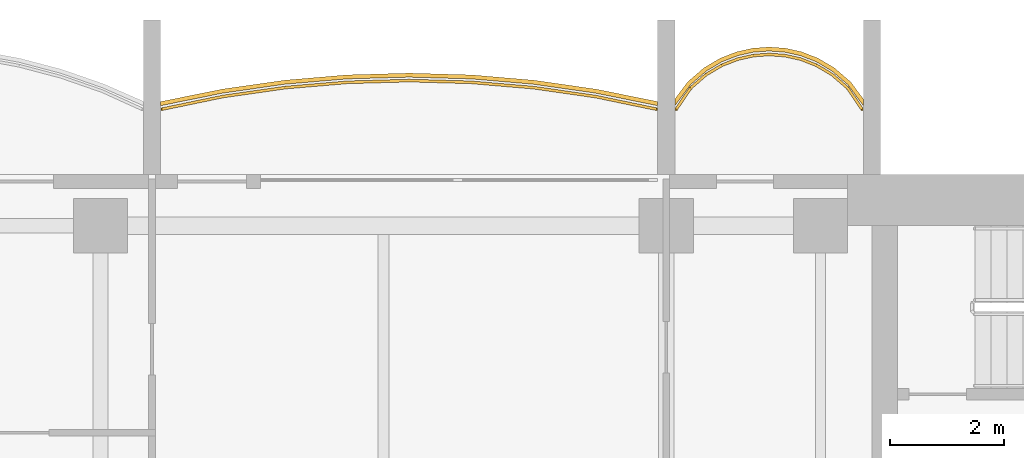
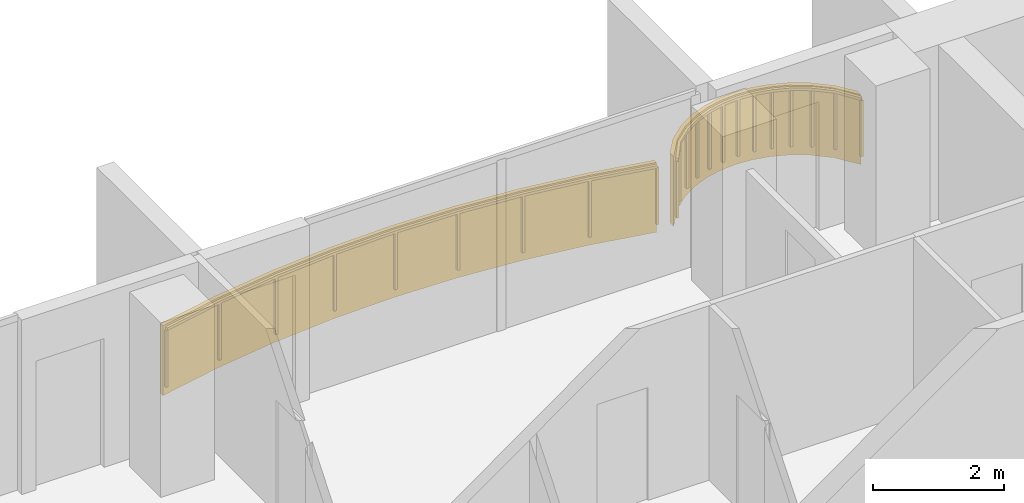
# One storey, part 17 of 17: 2 coverings, 2 railings.
"""IFC4 building model written with IfcOpenShell, lengths in metres."""

from ifc_helpers import new_model, si_unit, direction, frame, origin, origin_2d, place, context, subcontext, project, spatial, polyline, rectangle, outline, extrude, material, layer, layer_set, type_object, element, save


model = new_model("IFC4")

# Units and contexts
model_context = context("Model", 3, precision=1e-05, world=origin(), true_north=direction((0.0, 1.0)))
body_context = subcontext(model_context, "Body", "Model", "MODEL_VIEW")
ifc_project = project(units=[si_unit("LENGTHUNIT", "METRE"), si_unit("AREAUNIT", "SQUARE_METRE"), si_unit("VOLUMEUNIT", "CUBIC_METRE"), si_unit("PLANEANGLEUNIT", "RADIAN"), si_unit("MASSUNIT", "GRAM", prefix="KILO")], contexts=[model_context])

# Site, building, storey
site_placement = place(None, origin())
site = spatial("IfcSite", under=ifc_project, at=site_placement, CompositionType="ELEMENT")
building_placement = place(site_placement, origin())
building = spatial("IfcBuilding", under=site, at=building_placement, Name="Perihelion Cross Residences", CompositionType="ELEMENT")
storey_placement = place(building_placement, frame((0.0, 0.0, 184.10009765625)))
storey = spatial("IfcBuildingStorey", under=building, at=storey_placement, Name="L45", CompositionType="ELEMENT", Elevation=184.10009765625)

# Coverings
ifc_material_1 = material(Name="Bronze anodised aluminium", Category="aluminium")
ifc_layer = layer(ifc_material_1, 0.070068359375)
ifc_layer_set = layer_set([ifc_layer], Name="Balcony fascia 1300")
covering_type = type_object("IfcCoveringType", Name="Balcony fascia 1300", PredefinedType="CLADDING", material=ifc_layer_set)
covering_1_placement = place(storey_placement, frame((0.0, 0.0, -0.2001953125)))
element("IfcCovering", 1, at=covering_1_placement, inside=storey, type_object=covering_type, Name="Fascia BF1 L45 east side north bay 1", PredefinedType="CLADDING", context=body_context, shape_type="SweptSolid", body=[
    extrude(outline(polyline([(21.226318359375, 10.616455078125), (20.94091796875, 10.86328125), (20.655517578125, 11.031494140625), (20.370361328125, 11.142578125), (20.085205078125, 11.206298828125), (19.800048828125, 11.22705078125), (19.514892578125, 11.206298828125), (19.229736328125, 11.142578125), (18.9443359375, 11.031494140625), (18.6591796875, 10.86328125), (18.373779296875, 10.616455078125), (18.14990234375, 10.31689453125), (18.14990234375, 10.199951171875), (18.425048828125, 10.568603515625), (18.699951171875, 10.806396484375), (18.97509765625, 10.96875), (19.25, 11.07568359375), (19.52490234375, 11.136962890625), (19.800048828125, 11.156982421875), (20.074951171875, 11.136962890625), (20.35009765625, 11.07568359375), (20.625, 10.96875), (20.89990234375, 10.806396484375), (21.175048828125, 10.568603515625), (21.449951171875, 10.199951171875), (21.449951171875, 10.31689453125), (21.226318359375, 10.616455078125)])), origin(), (0.0, 0.0, 1.0), 1.300048828125),
])
covering_2_placement = place(storey_placement, frame((0.0, 0.0, -0.2001953125)))
element("IfcCovering", 2, at=covering_2_placement, inside=storey, type_object=covering_type, Name="Fascia BF1 L45 east side north bay 2", PredefinedType="CLADDING", context=body_context, shape_type="SweptSolid", body=[
    extrude(outline(polyline([(16.7744140625, 10.4892578125), (15.682861328125, 10.645751953125), (14.591552734375, 10.739013671875), (13.5, 10.77001953125), (12.408447265625, 10.739013671875), (11.317138671875, 10.645751953125), (10.2255859375, 10.4892578125), (9.14990234375, 10.271484375), (9.14990234375, 10.199951171875), (10.237548828125, 10.42041015625), (11.324951171875, 10.576171875), (12.41259765625, 10.669189453125), (13.5, 10.699951171875), (14.58740234375, 10.669189453125), (15.675048828125, 10.576171875), (16.762451171875, 10.42041015625), (17.85009765625, 10.199951171875), (17.85009765625, 10.271484375), (16.7744140625, 10.4892578125)])), origin(), (0.0, 0.0, 1.0), 1.300048828125),
])

# Railings
ifc_material_2 = material(Name="Bronze anodised aluminium", Category="aluminium")
railing_type = type_object("IfcRailingType", Name="Balcony guard 1100", PredefinedType="GUARDRAIL", material=ifc_material_2)
railing_1_placement = place(storey_placement, frame((21.425048828125, 10.139892578125, 0.0)))
element("IfcRailing", 3, at=railing_1_placement, inside=storey, type_object=railing_type, Name="Guard GU1 L45 east side north bay 1 balcony", PredefinedType="GUARDRAIL", context=body_context, shape_type="SweptSolid", body=[
    extrude(rectangle(XDim=0.048095703125, YDim=0.048095703125, at=origin_2d()), frame((0.0, 0.0, 1.076171875), z_axis=(-0.561260132269, 0.827639452857, 0.0), x_axis=(-0.827639452857, -0.561260132269, 0.0)), (0.0, 0.0, 1.0), 0.4453125),
    extrude(rectangle(XDim=0.048095703125, YDim=0.048095703125, at=origin_2d()), frame((-0.25, 0.36865234375, 1.076171875), z_axis=(-0.756596535164, 0.653882009982, 0.0), x_axis=(-0.653882009982, -0.756596535164, 0.0)), (0.0, 0.0, 1.0), 0.36376953125),
    extrude(rectangle(XDim=0.048095703125, YDim=0.048095703125, at=origin_2d()), frame((-0.525146484375, 0.6064453125, 1.076171875), z_axis=(-0.861048292884, 0.508523192511, 0.0), x_axis=(-0.508523192511, -0.861048292884, 0.0)), (0.0, 0.0, 1.0), 0.3193359375),
    extrude(rectangle(XDim=0.048095703125, YDim=0.048095703125, at=origin_2d()), frame((-0.800048828125, 0.768798828125, 1.076171875), z_axis=(-0.931973602183, 0.362526143656, 0.0), x_axis=(-0.362526143656, -0.931973602183, 0.0)), (0.0, 0.0, 1.0), 0.294921875),
    extrude(rectangle(XDim=0.048095703125, YDim=0.048095703125, at=origin_2d()), frame((-1.074951171875, 0.875732421875, 1.076171875), z_axis=(-0.976085059389, 0.21738895289, 0.0), x_axis=(-0.21738895289, -0.976085059389, 0.0)), (0.0, 0.0, 1.0), 0.281982421875),
    extrude(rectangle(XDim=0.048095703125, YDim=0.048095703125, at=origin_2d()), frame((-1.35009765625, 0.93701171875, 1.076171875), z_axis=(-0.997358821833, 0.072631814734, 0.0), x_axis=(-0.072631814734, -0.997358821833, 0.0)), (0.0, 0.0, 1.0), 0.275634765625),
    extrude(rectangle(XDim=0.048095703125, YDim=0.048095703125, at=origin_2d()), frame((-1.625, 0.95703125, 1.076171875), z_axis=(-0.997363488337, -0.072567707226, 0.0), x_axis=(0.072567707226, -0.997363488337, 0.0)), (0.0, 0.0, 1.0), 0.27587890625),
    extrude(rectangle(XDim=0.048095703125, YDim=0.048095703125, at=origin_2d()), frame((-1.900146484375, 0.93701171875, 1.076171875), z_axis=(-0.976044077717, -0.217572880557, 0.0), x_axis=(0.217572880557, -0.976044077717, 0.0)), (0.0, 0.0, 1.0), 0.28173828125),
    extrude(rectangle(XDim=0.048095703125, YDim=0.048095703125, at=origin_2d()), frame((-2.175048828125, 0.875732421875, 1.076171875), z_axis=(-0.931973602183, -0.362526143656, 0.0), x_axis=(0.362526143656, -0.931973602183, 0.0)), (0.0, 0.0, 1.0), 0.294921875),
    extrude(rectangle(XDim=0.048095703125, YDim=0.048095703125, at=origin_2d()), frame((-2.449951171875, 0.768798828125, 1.076171875), z_axis=(-0.861245845072, -0.508188542123, 0.0), x_axis=(0.508188542123, -0.861245845072, 0.0)), (0.0, 0.0, 1.0), 0.319580078125),
    extrude(rectangle(XDim=0.048095703125, YDim=0.048095703125, at=origin_2d()), frame((-2.72509765625, 0.6064453125, 1.076171875), z_axis=(-0.756309278473, -0.654214242658, 0.0), x_axis=(0.654214242658, -0.756309278473, 0.0)), (0.0, 0.0, 1.0), 0.363525390625),
    extrude(rectangle(XDim=0.048095703125, YDim=0.048095703125, at=origin_2d()), frame((-3.0, 0.36865234375, 1.076171875), z_axis=(-0.561260132269, -0.827639452857, 0.0), x_axis=(0.827639452857, -0.561260132269, 0.0)), (0.0, 0.0, 1.0), 0.4453125),
    extrude(rectangle(XDim=0.0419921875, YDim=0.0419921875, at=origin_2d()), origin(), (0.0, 0.0, 1.0), 1.052001953125),
    extrude(rectangle(XDim=0.0419921875, YDim=0.0419921875, at=origin_2d()), frame((-0.25, 0.36865234375, 0.0)), (0.0, 0.0, 1.0), 1.052001953125),
    extrude(rectangle(XDim=0.0419921875, YDim=0.0419921875, at=origin_2d()), frame((-0.525146484375, 0.6064453125, 0.0)), (0.0, 0.0, 1.0), 1.052001953125),
    extrude(rectangle(XDim=0.0419921875, YDim=0.0419921875, at=origin_2d()), frame((-0.800048828125, 0.768798828125, 0.0)), (0.0, 0.0, 1.0), 1.052001953125),
    extrude(rectangle(XDim=0.0419921875, YDim=0.0419921875, at=origin_2d()), frame((-1.074951171875, 0.875732421875, 0.0)), (0.0, 0.0, 1.0), 1.052001953125),
    extrude(rectangle(XDim=0.0419921875, YDim=0.0419921875, at=origin_2d()), frame((-1.35009765625, 0.93701171875, 0.0)), (0.0, 0.0, 1.0), 1.052001953125),
    extrude(rectangle(XDim=0.0419921875, YDim=0.0419921875, at=origin_2d()), frame((-1.625, 0.95703125, 0.0)), (0.0, 0.0, 1.0), 1.052001953125),
    extrude(rectangle(XDim=0.0419921875, YDim=0.0419921875, at=origin_2d()), frame((-1.900146484375, 0.93701171875, 0.0)), (0.0, 0.0, 1.0), 1.052001953125),
    extrude(rectangle(XDim=0.0419921875, YDim=0.0419921875, at=origin_2d()), frame((-2.175048828125, 0.875732421875, 0.0)), (0.0, 0.0, 1.0), 1.052001953125),
    extrude(rectangle(XDim=0.0419921875, YDim=0.0419921875, at=origin_2d()), frame((-2.449951171875, 0.768798828125, 0.0)), (0.0, 0.0, 1.0), 1.052001953125),
    extrude(rectangle(XDim=0.0419921875, YDim=0.0419921875, at=origin_2d()), frame((-2.72509765625, 0.6064453125, 0.0)), (0.0, 0.0, 1.0), 1.052001953125),
    extrude(rectangle(XDim=0.0419921875, YDim=0.0419921875, at=origin_2d()), frame((-3.0, 0.36865234375, 0.0)), (0.0, 0.0, 1.0), 1.052001953125),
    extrude(rectangle(XDim=0.0419921875, YDim=0.0419921875, at=origin_2d()), frame((-3.25, 0.0, 0.0)), (0.0, 0.0, 1.0), 1.052001953125),
])
railing_2_placement = place(storey_placement, frame((17.824951171875, 10.139892578125, 0.0)))
element("IfcRailing", 4, at=railing_2_placement, inside=storey, type_object=railing_type, Name="Guard GU1 L45 east side north bay 2 balcony", PredefinedType="GUARDRAIL", context=body_context, shape_type="SweptSolid", body=[
    extrude(rectangle(XDim=0.048095703125, YDim=0.048095703125, at=origin_2d()), frame((0.0, 0.0, 1.076171875), z_axis=(-0.979144816647, 0.203163549961, 0.0), x_axis=(-0.203163549961, -0.979144816647, 0.0)), (0.0, 0.0, 1.0), 1.085205078125),
    extrude(rectangle(XDim=0.048095703125, YDim=0.048095703125, at=origin_2d()), frame((-1.0625, 0.220458984375, 1.076171875), z_axis=(-0.98989608354, 0.141794724135, 0.0), x_axis=(-0.141794724135, -0.98989608354, 0.0)), (0.0, 0.0, 1.0), 1.098388671875),
    extrude(rectangle(XDim=0.048095703125, YDim=0.048095703125, at=origin_2d()), frame((-2.14990234375, 0.376220703125, 1.076171875), z_axis=(-0.996362942492, 0.085210837506, 0.0), x_axis=(-0.085210837506, -0.996362942492, 0.0)), (0.0, 0.0, 1.0), 1.091552734375),
    extrude(rectangle(XDim=0.048095703125, YDim=0.048095703125, at=origin_2d()), frame((-3.237548828125, 0.46923828125, 1.076171875), z_axis=(-0.999600101203, 0.028277865458, 0.0), x_axis=(-0.028277865458, -0.999600101203, 0.0)), (0.0, 0.0, 1.0), 1.087890625),
    extrude(rectangle(XDim=0.048095703125, YDim=0.048095703125, at=origin_2d()), frame((-4.324951171875, 0.5, 1.076171875), z_axis=(-0.999600101203, -0.028277865458, 0.0), x_axis=(0.028277865458, -0.999600101203, 0.0)), (0.0, 0.0, 1.0), 1.087890625),
    extrude(rectangle(XDim=0.048095703125, YDim=0.048095703125, at=origin_2d()), frame((-5.412353515625, 0.46923828125, 1.076171875), z_axis=(-0.996362942492, -0.085210837506, 0.0), x_axis=(0.085210837506, -0.996362942492, 0.0)), (0.0, 0.0, 1.0), 1.091552734375),
    extrude(rectangle(XDim=0.048095703125, YDim=0.048095703125, at=origin_2d()), frame((-6.5, 0.376220703125, 1.076171875), z_axis=(-0.98989608354, -0.141794724135, 0.0), x_axis=(0.141794724135, -0.98989608354, 0.0)), (0.0, 0.0, 1.0), 1.098388671875),
    extrude(rectangle(XDim=0.048095703125, YDim=0.048095703125, at=origin_2d()), frame((-7.58740234375, 0.220458984375, 1.076171875), z_axis=(-0.979144816647, -0.203163549961, 0.0), x_axis=(0.203163549961, -0.979144816647, 0.0)), (0.0, 0.0, 1.0), 1.085205078125),
    extrude(rectangle(XDim=0.0419921875, YDim=0.0419921875, at=origin_2d()), origin(), (0.0, 0.0, 1.0), 1.052001953125),
    extrude(rectangle(XDim=0.0419921875, YDim=0.0419921875, at=origin_2d()), frame((-1.0625, 0.220458984375, 0.0)), (0.0, 0.0, 1.0), 1.052001953125),
    extrude(rectangle(XDim=0.0419921875, YDim=0.0419921875, at=origin_2d()), frame((-2.14990234375, 0.376220703125, 0.0)), (0.0, 0.0, 1.0), 1.052001953125),
    extrude(rectangle(XDim=0.0419921875, YDim=0.0419921875, at=origin_2d()), frame((-3.237548828125, 0.46923828125, 0.0)), (0.0, 0.0, 1.0), 1.052001953125),
    extrude(rectangle(XDim=0.0419921875, YDim=0.0419921875, at=origin_2d()), frame((-4.324951171875, 0.5, 0.0)), (0.0, 0.0, 1.0), 1.052001953125),
    extrude(rectangle(XDim=0.0419921875, YDim=0.0419921875, at=origin_2d()), frame((-5.412353515625, 0.46923828125, 0.0)), (0.0, 0.0, 1.0), 1.052001953125),
    extrude(rectangle(XDim=0.0419921875, YDim=0.0419921875, at=origin_2d()), frame((-6.5, 0.376220703125, 0.0)), (0.0, 0.0, 1.0), 1.052001953125),
    extrude(rectangle(XDim=0.0419921875, YDim=0.0419921875, at=origin_2d()), frame((-7.58740234375, 0.220458984375, 0.0)), (0.0, 0.0, 1.0), 1.052001953125),
    extrude(rectangle(XDim=0.0419921875, YDim=0.0419921875, at=origin_2d()), frame((-8.64990234375, 0.0, 0.0)), (0.0, 0.0, 1.0), 1.052001953125),
])

save(model, "model.ifc")
